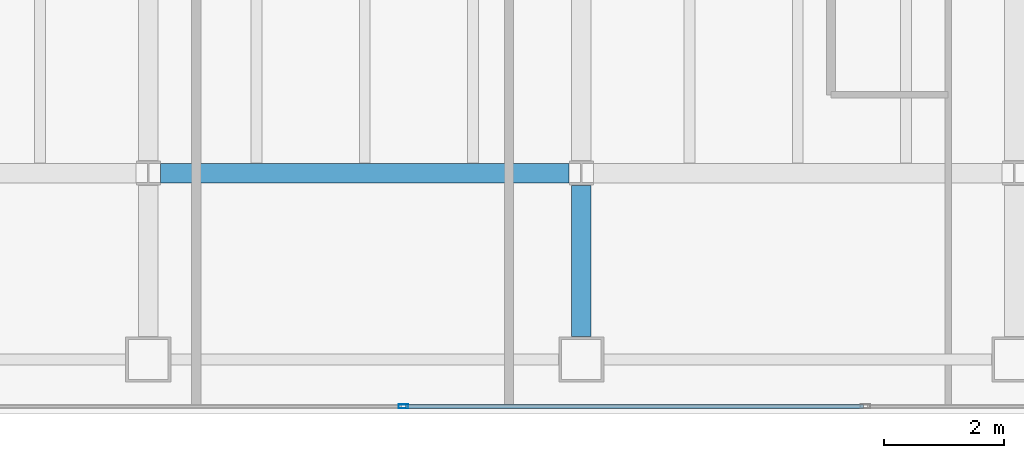
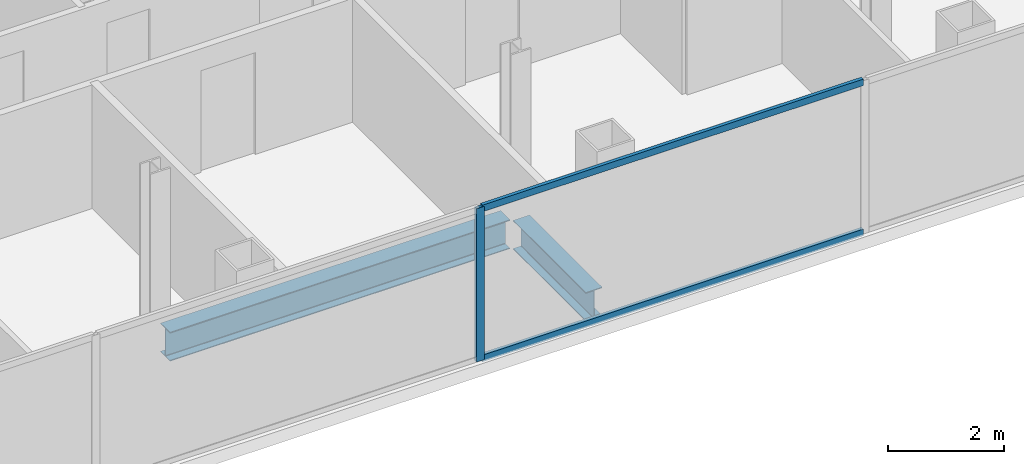
# One storey, part 6 of 23: 3 members, 2 beams, 1 element without a shape of its own.
"""IFC4 building model written with IfcOpenShell, lengths in metres."""

from ifc_helpers import new_model, si_unit, direction, frame, origin, origin_2d, place, context, subcontext, project, spatial, hollow_rectangle, i_section, extrude, material, material_profile, profile_set, type_object, element, aggregate, save


model = new_model("IFC4")

# Units and contexts
model_context = context("Model", 3, precision=1e-05, world=origin(), true_north=direction((0.0, 1.0)))
body_context = subcontext(model_context, "Body", "Model", "MODEL_VIEW")
ifc_project = project(units=[si_unit("LENGTHUNIT", "METRE"), si_unit("AREAUNIT", "SQUARE_METRE"), si_unit("VOLUMEUNIT", "CUBIC_METRE"), si_unit("PLANEANGLEUNIT", "RADIAN"), si_unit("MASSUNIT", "GRAM", prefix="KILO")], contexts=[model_context])

# Site, building, storey
site_placement = place(None, origin())
site = spatial("IfcSite", under=ifc_project, at=site_placement, CompositionType="ELEMENT")
building_placement = place(site_placement, origin())
building = spatial("IfcBuilding", under=site, at=building_placement, Name="Cobrela Telecom Tower", CompositionType="ELEMENT")
storey_placement = place(building_placement, frame((0.0, 0.0, 222.25)))
storey = spatial("IfcBuildingStorey", under=building, at=storey_placement, Name="L57", CompositionType="ELEMENT", Elevation=222.25)

# Beams
ifc_material_1 = material(Name="Steel ASTM A992 Grade 50", Category="steel")
ifc_material_profile_1 = material_profile(ifc_material_1, i_section(OverallWidth=0.324951171875, OverallDepth=0.612060546875, WebThickness=0.0126953125, FlangeThickness=0.01904296875, FilletRadius=0.014892578125, at=origin_2d()), Name="W24X104")
ifc_profile_set_1 = profile_set([ifc_material_profile_1], Name="Steel ASTM A992 Grade 50")
beam_type = type_object("IfcBeamType", Name="BM-GIRD-07", PredefinedType="USERDEFINED", material=ifc_profile_set_1)
beam_1_placement = place(storey_placement, frame((21.804443359375, 7.199951171875, -0.56591796875), z_axis=(1.0, 0.0, 0.0), x_axis=(0.0, 1.0, 0.0)))
element("IfcBeam", 1, at=beam_1_placement, inside=storey, type_object=beam_type, Name="L57 Primary Girder X08", ObjectType="GIRDER", PredefinedType="USERDEFINED", context=body_context, shape_type="SweptSolid", body=[
    extrude(i_section(OverallWidth=0.324951171875, OverallDepth=0.612060546875, WebThickness=0.0126953125, FlangeThickness=0.01904296875, FilletRadius=0.014892578125, at=origin_2d()), origin(), (0.0, 0.0, 1.0), 6.791015625),
])
beam_2_placement = place(storey_placement, frame((28.800048828125, 4.47998046875, -0.56591796875), z_axis=(0.0, 1.0, 0.0), x_axis=(-1.0, 0.0, 0.0)))
element("IfcBeam", 2, at=beam_2_placement, inside=storey, type_object=beam_type, Name="L57 Primary Girder Y36", ObjectType="GIRDER", PredefinedType="USERDEFINED", context=body_context, shape_type="SweptSolid", body=[
    extrude(i_section(OverallWidth=0.324951171875, OverallDepth=0.612060546875, WebThickness=0.0126953125, FlangeThickness=0.01904296875, FilletRadius=0.014892578125, at=origin_2d()), origin(), (0.0, 0.0, 1.0), 2.515625),
])

# Curtain wall, members
ifc_material_2 = material(Name="Anodized Bronze Aluminium 6063-T6", Category="aluminium")
curtain_wall_type = type_object("IfcCurtainWallType", Name="CW-SYS-OFF-LO", PredefinedType="USERDEFINED", material=ifc_material_2)
curtain_wall_placement = place(storey_placement, origin())
curtain_wall = element("IfcCurtainWall", 3, at=curtain_wall_placement, inside=storey, type_object=curtain_wall_type, Name="L57 Unitised Bronze Curtain Wall 17", ObjectType="UNITISED CURTAIN WALL", PredefinedType="USERDEFINED")
ifc_material_profile_2 = material_profile(ifc_material_2, hollow_rectangle(XDim=0.070068359375, YDim=0.159912109375, WallThickness=0.00390625, at=origin_2d()), Name="ALU 70x160x4")
ifc_profile_set_2 = profile_set([ifc_material_profile_2], Name="Anodized Bronze Aluminium 6063-T6")
member_type_1 = type_object("IfcMemberType", Name="CW-SYS-OFF-LO-MUL", PredefinedType="MULLION", material=ifc_profile_set_2)
member_1_placement = place(storey_placement, frame((25.842041015625, 3.320068359375, 0.0), z_axis=(0.0, 0.0, 1.0), x_axis=(0.0, -1.0, 0.0)))
member_1 = element("IfcMember", 4, at=member_1_placement, type_object=member_type_1, Name="CW-OFF-LO mullion 3", PredefinedType="MULLION", context=body_context, shape_type="SweptSolid", body=[
    extrude(hollow_rectangle(XDim=0.070068359375, YDim=0.159912109375, WallThickness=0.00390625, at=origin_2d()), origin(), (0.0, 0.0, 1.0), 3.239990234375),
])
ifc_material_profile_3 = material_profile(ifc_material_2, hollow_rectangle(XDim=0.070068359375, YDim=0.139892578125, WallThickness=0.00390625, at=origin_2d()), Name="ALU 70x140x4")
ifc_profile_set_3 = profile_set([ifc_material_profile_3], Name="Anodized Bronze Aluminium 6063-T6")
member_type_2 = type_object("IfcMemberType", Name="CW-SYS-OFF-LO-TRN", PredefinedType="USERDEFINED", material=ifc_profile_set_3)
member_2_placement = place(storey_placement, frame((33.490966796875, 3.320068359375, 0.034912109375), z_axis=(-1.0, 0.0, 0.0), x_axis=(0.0, -1.0, 0.0)))
member_2 = element("IfcMember", 5, at=member_2_placement, type_object=member_type_2, Name="CW-OFF-LO transom 2.1", ObjectType="TRANSOM", PredefinedType="USERDEFINED", context=body_context, shape_type="SweptSolid", body=[
    extrude(hollow_rectangle(XDim=0.070068359375, YDim=0.139892578125, WallThickness=0.00390625, at=origin_2d()), origin(), (0.0, 0.0, 1.0), 7.614013671875),
])
member_3_placement = place(storey_placement, frame((33.490966796875, 3.320068359375, 3.205078125), z_axis=(-1.0, 0.0, 0.0), x_axis=(0.0, -1.0, 0.0)))
member_3 = element("IfcMember", 6, at=member_3_placement, type_object=member_type_2, Name="CW-OFF-LO transom 2.2", ObjectType="TRANSOM", PredefinedType="USERDEFINED", context=body_context, shape_type="SweptSolid", body=[
    extrude(hollow_rectangle(XDim=0.070068359375, YDim=0.139892578125, WallThickness=0.00390625, at=origin_2d()), origin(), (0.0, 0.0, 1.0), 7.614013671875),
])
aggregate(curtain_wall, [member_1, member_2, member_3])

save(model, "model.ifc")
